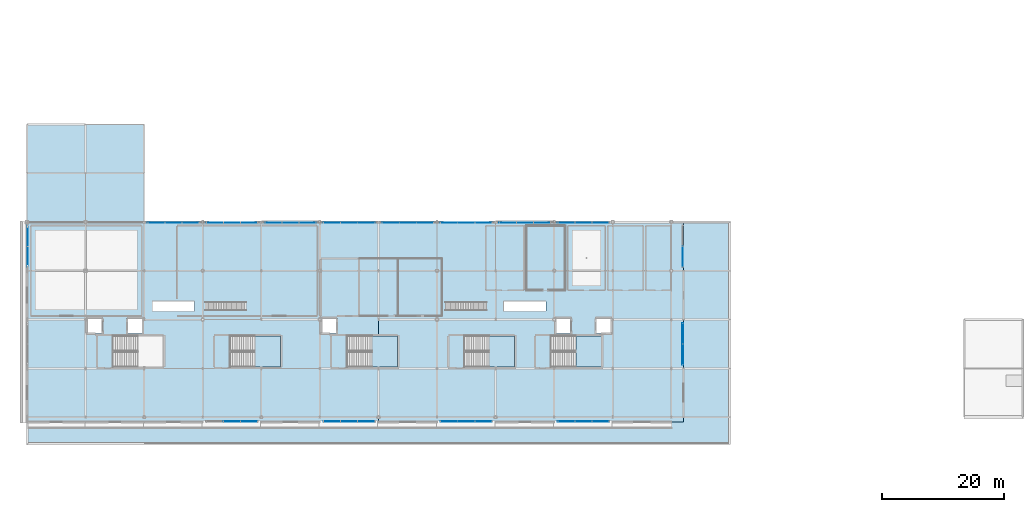
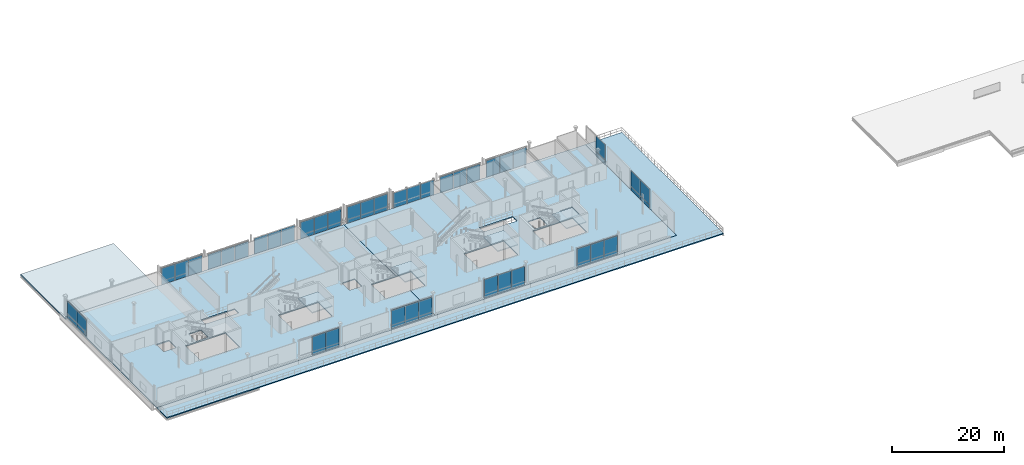
# One storey, part 21 of 36: 43 plates, 8 slabs, 19 elements without a shape of their own.
"""IFC4 building model written with IfcOpenShell, lengths in metres."""

from ifc_helpers import new_model, si_unit, direction, frame, origin, origin_2d, place, context, subcontext, project, spatial, polyline, rectangle, outline, extrude, material, layer, layer_set, type_object, element, aggregate, save


model = new_model("IFC4")

# Units and contexts
model_context = context("Model", 3, precision=1e-05, world=origin(), true_north=direction((0.0, 1.0)))
body_context = subcontext(model_context, "Body", "Model", "MODEL_VIEW")
ifc_project = project(units=[si_unit("LENGTHUNIT", "METRE"), si_unit("AREAUNIT", "SQUARE_METRE"), si_unit("VOLUMEUNIT", "CUBIC_METRE"), si_unit("PLANEANGLEUNIT", "RADIAN"), si_unit("MASSUNIT", "GRAM", prefix="KILO")], contexts=[model_context])

# Site, building, storey
site_placement = place(None, origin())
site = spatial("IfcSite", under=ifc_project, at=site_placement, CompositionType="ELEMENT")
building_placement = place(site_placement, origin())
building = spatial("IfcBuilding", under=site, at=building_placement, Name="Danafjord Basin Convention Centre", CompositionType="ELEMENT")
storey_placement = place(building_placement, frame((0.0, 0.0, 20.39990234375)))
storey = spatial("IfcBuildingStorey", under=building, at=storey_placement, Name="L04", CompositionType="ELEMENT", Elevation=20.39990234375)

# Curtain wall, plates
ifc_material_1 = material(Name="Anodised aluminium and triple glazing", Category="aluminium")
curtain_wall_type = type_object("IfcCurtainWallType", Name="CW-CW-TERR", PredefinedType="NOTDEFINED", material=ifc_material_1)
curtain_wall_1_placement = place(storey_placement, origin())
curtain_wall_1 = element("IfcCurtainWall", 1, at=curtain_wall_1_placement, inside=storey, type_object=curtain_wall_type, Name="L04 CW-TERR unitised curtain wall bay 34", PredefinedType="NOTDEFINED")
ifc_material_2 = material(Name="Triple low-E insulated glazing", Category="glass")
ifc_layer_1 = layer(ifc_material_2, 0.0380859375)
ifc_layer_set_1 = layer_set([ifc_layer_1], Name="Triple low-E insulated glazing")
plate_type_1 = type_object("IfcPlateType", Name="PLT-GP-38", PredefinedType="CURTAIN_PANEL", material=ifc_layer_set_1)
plate_1_placement = place(storey_placement, frame((50.0, 7.320068359375, 0.088134765625), z_axis=(0.0, 0.0, 1.0), x_axis=(1.0, 0.0, 0.0)))
plate_1 = element("IfcPlate", 2, at=plate_1_placement, type_object=plate_type_1, Name="CW-L04-034 vision glazing unit 1", PredefinedType="CURTAIN_PANEL", context=body_context, shape_type="SweptSolid", body=[
    extrude(rectangle(XDim=2.743896484375, YDim=0.0380859375, at=origin_2d()), origin(), (0.0, 0.0, 1.0), 4.083984375),
])
plate_2_placement = place(storey_placement, frame((52.800048828125, 7.320068359375, 0.088134765625), z_axis=(0.0, 0.0, 1.0), x_axis=(1.0, 0.0, 0.0)))
plate_2 = element("IfcPlate", 3, at=plate_2_placement, type_object=plate_type_1, Name="CW-L04-034 vision glazing unit 2", PredefinedType="CURTAIN_PANEL", context=body_context, shape_type="SweptSolid", body=[
    extrude(rectangle(XDim=2.743896484375, YDim=0.0380859375, at=origin_2d()), origin(), (0.0, 0.0, 1.0), 4.083984375),
])
plate_3_placement = place(storey_placement, frame((55.60009765625, 7.320068359375, 0.088134765625), z_axis=(0.0, 0.0, 1.0), x_axis=(1.0, 0.0, 0.0)))
plate_3 = element("IfcPlate", 4, at=plate_3_placement, type_object=plate_type_1, Name="CW-L04-034 vision glazing unit 3", PredefinedType="CURTAIN_PANEL", context=body_context, shape_type="SweptSolid", body=[
    extrude(rectangle(XDim=2.743896484375, YDim=0.0380859375, at=origin_2d()), origin(), (0.0, 0.0, 1.0), 4.083984375),
])
aggregate(curtain_wall_1, [plate_1, plate_2, plate_3])

curtain_wall_2_placement = place(storey_placement, origin())
curtain_wall_2 = element("IfcCurtainWall", 5, at=curtain_wall_2_placement, inside=storey, type_object=curtain_wall_type, Name="L04 CW-TERR unitised curtain wall bay 36", PredefinedType="NOTDEFINED")
plate_4_placement = place(storey_placement, frame((88.39990234375, 7.320068359375, 0.088134765625), z_axis=(0.0, 0.0, 1.0), x_axis=(1.0, 0.0, 0.0)))
plate_4 = element("IfcPlate", 6, at=plate_4_placement, type_object=plate_type_1, Name="CW-L04-036 vision glazing unit 1", PredefinedType="CURTAIN_PANEL", context=body_context, shape_type="SweptSolid", body=[
    extrude(rectangle(XDim=2.743896484375, YDim=0.0380859375, at=origin_2d()), origin(), (0.0, 0.0, 1.0), 4.083984375),
])
plate_5_placement = place(storey_placement, frame((91.199951171875, 7.320068359375, 0.088134765625), z_axis=(0.0, 0.0, 1.0), x_axis=(1.0, 0.0, 0.0)))
plate_5 = element("IfcPlate", 7, at=plate_5_placement, type_object=plate_type_1, Name="CW-L04-036 vision glazing unit 2", PredefinedType="CURTAIN_PANEL", context=body_context, shape_type="SweptSolid", body=[
    extrude(rectangle(XDim=2.743896484375, YDim=0.0380859375, at=origin_2d()), origin(), (0.0, 0.0, 1.0), 4.083984375),
])
plate_6_placement = place(storey_placement, frame((94.0, 7.320068359375, 0.088134765625), z_axis=(0.0, 0.0, 1.0), x_axis=(1.0, 0.0, 0.0)))
plate_6 = element("IfcPlate", 8, at=plate_6_placement, type_object=plate_type_1, Name="CW-L04-036 vision glazing unit 3", PredefinedType="CURTAIN_PANEL", context=body_context, shape_type="SweptSolid", body=[
    extrude(rectangle(XDim=2.743896484375, YDim=0.0380859375, at=origin_2d()), origin(), (0.0, 0.0, 1.0), 4.083984375),
])
aggregate(curtain_wall_2, [plate_4, plate_5, plate_6])

curtain_wall_3_placement = place(storey_placement, origin())
curtain_wall_3 = element("IfcCurtainWall", 9, at=curtain_wall_3_placement, inside=storey, type_object=curtain_wall_type, Name="L04 CW-TERR unitised curtain wall bay 88", PredefinedType="NOTDEFINED")
plate_7_placement = place(storey_placement, frame((36.39990234375, 39.8798828125, 0.088134765625), z_axis=(0.0, 0.0, 1.0), x_axis=(-1.0, 0.0, 0.0)))
plate_7 = element("IfcPlate", 10, at=plate_7_placement, type_object=plate_type_1, Name="CW-L04-088 vision glazing unit 1", PredefinedType="CURTAIN_PANEL", context=body_context, shape_type="SweptSolid", body=[
    extrude(rectangle(XDim=2.743896484375, YDim=0.0380859375, at=origin_2d()), origin(), (0.0, 0.0, 1.0), 3.25390625),
])
plate_8_placement = place(storey_placement, frame((33.60009765625, 39.8798828125, 0.088134765625), z_axis=(0.0, 0.0, 1.0), x_axis=(-1.0, 0.0, 0.0)))
plate_8 = element("IfcPlate", 11, at=plate_8_placement, type_object=plate_type_1, Name="CW-L04-088 vision glazing unit 2", PredefinedType="CURTAIN_PANEL", context=body_context, shape_type="SweptSolid", body=[
    extrude(rectangle(XDim=2.743896484375, YDim=0.0380859375, at=origin_2d()), origin(), (0.0, 0.0, 1.0), 3.25390625),
])
plate_9_placement = place(storey_placement, frame((30.800048828125, 39.8798828125, 0.088134765625), z_axis=(0.0, 0.0, 1.0), x_axis=(-1.0, 0.0, 0.0)))
plate_9 = element("IfcPlate", 12, at=plate_9_placement, type_object=plate_type_1, Name="CW-L04-088 vision glazing unit 3", PredefinedType="CURTAIN_PANEL", context=body_context, shape_type="SweptSolid", body=[
    extrude(rectangle(XDim=2.743896484375, YDim=0.0380859375, at=origin_2d()), origin(), (0.0, 0.0, 1.0), 3.25390625),
])
aggregate(curtain_wall_3, [plate_7, plate_8, plate_9])

curtain_wall_4_placement = place(storey_placement, origin())
curtain_wall_4 = element("IfcCurtainWall", 13, at=curtain_wall_4_placement, inside=storey, type_object=curtain_wall_type, Name="L04 CW-TERR unitised curtain wall bay 90", PredefinedType="NOTDEFINED")
plate_10_placement = place(storey_placement, frame((55.60009765625, 39.8798828125, 0.087890625), z_axis=(0.0, 0.0, 1.0), x_axis=(-1.0, 0.0, 0.0)))
plate_10 = element("IfcPlate", 14, at=plate_10_placement, type_object=plate_type_1, Name="CW-L04-090 vision glazing unit 1", PredefinedType="CURTAIN_PANEL", context=body_context, shape_type="SweptSolid", body=[
    extrude(rectangle(XDim=2.743896484375, YDim=0.0380859375, at=origin_2d()), origin(), (0.0, 0.0, 1.0), 3.654052734375),
])
plate_11_placement = place(storey_placement, frame((52.800048828125, 39.8798828125, 0.087890625), z_axis=(0.0, 0.0, 1.0), x_axis=(-1.0, 0.0, 0.0)))
plate_11 = element("IfcPlate", 15, at=plate_11_placement, type_object=plate_type_1, Name="CW-L04-090 vision glazing unit 2", PredefinedType="CURTAIN_PANEL", context=body_context, shape_type="SweptSolid", body=[
    extrude(rectangle(XDim=2.743896484375, YDim=0.0380859375, at=origin_2d()), origin(), (0.0, 0.0, 1.0), 3.654052734375),
])
plate_12_placement = place(storey_placement, frame((50.0, 39.8798828125, 0.087890625), z_axis=(0.0, 0.0, 1.0), x_axis=(-1.0, 0.0, 0.0)))
plate_12 = element("IfcPlate", 16, at=plate_12_placement, type_object=plate_type_1, Name="CW-L04-090 vision glazing unit 3", PredefinedType="CURTAIN_PANEL", context=body_context, shape_type="SweptSolid", body=[
    extrude(rectangle(XDim=2.743896484375, YDim=0.0380859375, at=origin_2d()), origin(), (0.0, 0.0, 1.0), 3.654052734375),
])
aggregate(curtain_wall_4, [plate_10, plate_11, plate_12])

curtain_wall_5_placement = place(storey_placement, origin())
curtain_wall_5 = element("IfcCurtainWall", 17, at=curtain_wall_5_placement, inside=storey, type_object=curtain_wall_type, Name="L04 CW-TERR unitised curtain wall bay 92", PredefinedType="NOTDEFINED")
plate_13_placement = place(storey_placement, frame((74.800048828125, 39.8798828125, 0.088134765625), z_axis=(0.0, 0.0, 1.0), x_axis=(-1.0, 0.0, 0.0)))
plate_13 = element("IfcPlate", 18, at=plate_13_placement, type_object=plate_type_1, Name="CW-L04-092 vision glazing unit 1", PredefinedType="CURTAIN_PANEL", context=body_context, shape_type="SweptSolid", body=[
    extrude(rectangle(XDim=2.743896484375, YDim=0.0380859375, at=origin_2d()), origin(), (0.0, 0.0, 1.0), 3.25390625),
])
plate_14_placement = place(storey_placement, frame((72.0, 39.8798828125, 0.088134765625), z_axis=(0.0, 0.0, 1.0), x_axis=(-1.0, 0.0, 0.0)))
plate_14 = element("IfcPlate", 19, at=plate_14_placement, type_object=plate_type_1, Name="CW-L04-092 vision glazing unit 2", PredefinedType="CURTAIN_PANEL", context=body_context, shape_type="SweptSolid", body=[
    extrude(rectangle(XDim=2.743896484375, YDim=0.0380859375, at=origin_2d()), origin(), (0.0, 0.0, 1.0), 3.25390625),
])
plate_15_placement = place(storey_placement, frame((69.199951171875, 39.8798828125, 0.088134765625), z_axis=(0.0, 0.0, 1.0), x_axis=(-1.0, 0.0, 0.0)))
plate_15 = element("IfcPlate", 20, at=plate_15_placement, type_object=plate_type_1, Name="CW-L04-092 vision glazing unit 3", PredefinedType="CURTAIN_PANEL", context=body_context, shape_type="SweptSolid", body=[
    extrude(rectangle(XDim=2.743896484375, YDim=0.0380859375, at=origin_2d()), origin(), (0.0, 0.0, 1.0), 3.25390625),
])
aggregate(curtain_wall_5, [plate_13, plate_14, plate_15])

curtain_wall_6_placement = place(storey_placement, origin())
curtain_wall_6 = element("IfcCurtainWall", 21, at=curtain_wall_6_placement, inside=storey, type_object=curtain_wall_type, Name="L04 CW-TERR unitised curtain wall bay 94", PredefinedType="NOTDEFINED")
plate_16_placement = place(storey_placement, frame((94.0, 39.8798828125, 0.087890625), z_axis=(0.0, 0.0, 1.0), x_axis=(-1.0, 0.0, 0.0)))
plate_16 = element("IfcPlate", 22, at=plate_16_placement, type_object=plate_type_1, Name="CW-L04-094 vision glazing unit 1", PredefinedType="CURTAIN_PANEL", context=body_context, shape_type="SweptSolid", body=[
    extrude(rectangle(XDim=2.743896484375, YDim=0.0380859375, at=origin_2d()), origin(), (0.0, 0.0, 1.0), 3.654052734375),
])
plate_17_placement = place(storey_placement, frame((91.199951171875, 39.8798828125, 0.087890625), z_axis=(0.0, 0.0, 1.0), x_axis=(-1.0, 0.0, 0.0)))
plate_17 = element("IfcPlate", 23, at=plate_17_placement, type_object=plate_type_1, Name="CW-L04-094 vision glazing unit 2", PredefinedType="CURTAIN_PANEL", context=body_context, shape_type="SweptSolid", body=[
    extrude(rectangle(XDim=2.743896484375, YDim=0.0380859375, at=origin_2d()), origin(), (0.0, 0.0, 1.0), 3.654052734375),
])
plate_18_placement = place(storey_placement, frame((88.39990234375, 39.8798828125, 0.087890625), z_axis=(0.0, 0.0, 1.0), x_axis=(-1.0, 0.0, 0.0)))
plate_18 = element("IfcPlate", 24, at=plate_18_placement, type_object=plate_type_1, Name="CW-L04-094 vision glazing unit 3", PredefinedType="CURTAIN_PANEL", context=body_context, shape_type="SweptSolid", body=[
    extrude(rectangle(XDim=2.743896484375, YDim=0.0380859375, at=origin_2d()), origin(), (0.0, 0.0, 1.0), 3.654052734375),
])
aggregate(curtain_wall_6, [plate_16, plate_17, plate_18])

curtain_wall_7_placement = place(storey_placement, origin())
curtain_wall_7 = element("IfcCurtainWall", 25, at=curtain_wall_7_placement, inside=storey, type_object=curtain_wall_type, Name="L04 CW-TERR unitised curtain wall bay 96", PredefinedType="NOTDEFINED")
plate_19_placement = place(storey_placement, frame((0.1201171875, 37.699951171875, 0.088134765625), z_axis=(0.0, 0.0, 1.0), x_axis=(0.0, -1.0, 0.0)))
plate_19 = element("IfcPlate", 26, at=plate_19_placement, type_object=plate_type_1, Name="CW-L04-096 vision glazing unit 1", PredefinedType="CURTAIN_PANEL", context=body_context, shape_type="SweptSolid", body=[
    extrude(rectangle(XDim=3.343994140625, YDim=0.0380859375, at=origin_2d()), origin(), (0.0, 0.0, 1.0), 3.6640625),
])
plate_20_placement = place(storey_placement, frame((0.1201171875, 34.300048828125, 0.088134765625), z_axis=(0.0, 0.0, 1.0), x_axis=(0.0, -1.0, 0.0)))
plate_20 = element("IfcPlate", 27, at=plate_20_placement, type_object=plate_type_1, Name="CW-L04-096 vision glazing unit 2", PredefinedType="CURTAIN_PANEL", context=body_context, shape_type="SweptSolid", body=[
    extrude(rectangle(XDim=3.343994140625, YDim=0.0380859375, at=origin_2d()), origin(), (0.0, 0.0, 1.0), 3.6640625),
])
aggregate(curtain_wall_7, [plate_19, plate_20])

# Curtain wall, plate
curtain_wall_8_placement = place(storey_placement, origin())
curtain_wall_8 = element("IfcCurtainWall", 28, at=curtain_wall_8_placement, inside=storey, type_object=curtain_wall_type, Name="L04 CW-TERR unitised curtain wall bay 98", PredefinedType="NOTDEFINED")
plate_21_placement = place(storey_placement, frame((107.47998046875, 34.300048828125, 0.97802734375), z_axis=(0.0, 0.0, 1.0), x_axis=(0.0, 1.0, 0.0)))
plate_21 = element("IfcPlate", 29, at=plate_21_placement, type_object=plate_type_1, Name="CW-L04-098 vision glazing unit 1", PredefinedType="CURTAIN_PANEL", context=body_context, shape_type="SweptSolid", body=[
    extrude(rectangle(XDim=3.343994140625, YDim=0.0380859375, at=origin_2d()), origin(), (0.0, 0.0, 1.0), 3.43408203125),
])

# Curtain wall, plates
curtain_wall_9_placement = place(storey_placement, origin())
curtain_wall_9 = element("IfcCurtainWall", 30, at=curtain_wall_9_placement, inside=storey, type_object=curtain_wall_type, Name="L04 CW-TERR unitised curtain wall bay 33", PredefinedType="NOTDEFINED")
ifc_layer_2 = layer(ifc_material_2, 0.048095703125)
ifc_layer_set_2 = layer_set([ifc_layer_2], Name="Triple low-E insulated glazing")
plate_type_2 = type_object("IfcPlateType", Name="PLT-GP-48", PredefinedType="CURTAIN_PANEL", material=ifc_layer_set_2)
plate_22_placement = place(storey_placement, frame((33.60009765625, 7.320068359375, 0.088134765625), z_axis=(0.0, 0.0, 1.0), x_axis=(1.0, 0.0, 0.0)))
plate_22 = element("IfcPlate", 31, at=plate_22_placement, type_object=plate_type_2, Name="CW-L04-033 vision glazing unit 2", PredefinedType="CURTAIN_PANEL", context=body_context, shape_type="SweptSolid", body=[
    extrude(rectangle(XDim=2.743896484375, YDim=0.048095703125, at=origin_2d()), origin(), (0.0, 0.0, 1.0), 4.083984375),
])
plate_23_placement = place(storey_placement, frame((36.39990234375, 7.320068359375, 0.088134765625), z_axis=(0.0, 0.0, 1.0), x_axis=(1.0, 0.0, 0.0)))
plate_23 = element("IfcPlate", 32, at=plate_23_placement, type_object=plate_type_2, Name="CW-L04-033 vision glazing unit 3", PredefinedType="CURTAIN_PANEL", context=body_context, shape_type="SweptSolid", body=[
    extrude(rectangle(XDim=2.743896484375, YDim=0.048095703125, at=origin_2d()), origin(), (0.0, 0.0, 1.0), 4.083984375),
])
aggregate(curtain_wall_9, [plate_22, plate_23])

curtain_wall_10_placement = place(storey_placement, origin())
curtain_wall_10 = element("IfcCurtainWall", 33, at=curtain_wall_10_placement, inside=storey, type_object=curtain_wall_type, Name="L04 CW-TERR unitised curtain wall bay 35", PredefinedType="NOTDEFINED")
plate_24_placement = place(storey_placement, frame((69.199951171875, 7.320068359375, 0.088134765625), z_axis=(0.0, 0.0, 1.0), x_axis=(1.0, 0.0, 0.0)))
plate_24 = element("IfcPlate", 34, at=plate_24_placement, type_object=plate_type_2, Name="CW-L04-035 vision glazing unit 1", PredefinedType="CURTAIN_PANEL", context=body_context, shape_type="SweptSolid", body=[
    extrude(rectangle(XDim=2.743896484375, YDim=0.048095703125, at=origin_2d()), origin(), (0.0, 0.0, 1.0), 4.083984375),
])
plate_25_placement = place(storey_placement, frame((72.0, 7.320068359375, 0.088134765625), z_axis=(0.0, 0.0, 1.0), x_axis=(1.0, 0.0, 0.0)))
plate_25 = element("IfcPlate", 35, at=plate_25_placement, type_object=plate_type_2, Name="CW-L04-035 vision glazing unit 2", PredefinedType="CURTAIN_PANEL", context=body_context, shape_type="SweptSolid", body=[
    extrude(rectangle(XDim=2.743896484375, YDim=0.048095703125, at=origin_2d()), origin(), (0.0, 0.0, 1.0), 4.083984375),
])
plate_26_placement = place(storey_placement, frame((74.800048828125, 7.320068359375, 0.088134765625), z_axis=(0.0, 0.0, 1.0), x_axis=(1.0, 0.0, 0.0)))
plate_26 = element("IfcPlate", 36, at=plate_26_placement, type_object=plate_type_2, Name="CW-L04-035 vision glazing unit 3", PredefinedType="CURTAIN_PANEL", context=body_context, shape_type="SweptSolid", body=[
    extrude(rectangle(XDim=2.743896484375, YDim=0.048095703125, at=origin_2d()), origin(), (0.0, 0.0, 1.0), 4.083984375),
])
aggregate(curtain_wall_10, [plate_24, plate_25, plate_26])

curtain_wall_11_placement = place(storey_placement, origin())
curtain_wall_11 = element("IfcCurtainWall", 37, at=curtain_wall_11_placement, inside=storey, type_object=curtain_wall_type, Name="L04 CW-TERR unitised curtain wall bay 87", PredefinedType="NOTDEFINED")
plate_27_placement = place(storey_placement, frame((26.800048828125, 39.8798828125, 0.088134765625), z_axis=(0.0, 0.0, 1.0), x_axis=(-1.0, 0.0, 0.0)))
plate_27 = element("IfcPlate", 38, at=plate_27_placement, type_object=plate_type_2, Name="CW-L04-087 vision glazing unit 1", PredefinedType="CURTAIN_PANEL", context=body_context, shape_type="SweptSolid", body=[
    extrude(rectangle(XDim=2.743896484375, YDim=0.048095703125, at=origin_2d()), origin(), (0.0, 0.0, 1.0), 3.60400390625),
])
plate_28_placement = place(storey_placement, frame((24.0, 39.8798828125, 0.088134765625), z_axis=(0.0, 0.0, 1.0), x_axis=(-1.0, 0.0, 0.0)))
plate_28 = element("IfcPlate", 39, at=plate_28_placement, type_object=plate_type_2, Name="CW-L04-087 vision glazing unit 2", PredefinedType="CURTAIN_PANEL", context=body_context, shape_type="SweptSolid", body=[
    extrude(rectangle(XDim=2.743896484375, YDim=0.048095703125, at=origin_2d()), origin(), (0.0, 0.0, 1.0), 3.60400390625),
])
plate_29_placement = place(storey_placement, frame((21.199951171875, 39.8798828125, 0.088134765625), z_axis=(0.0, 0.0, 1.0), x_axis=(-1.0, 0.0, 0.0)))
plate_29 = element("IfcPlate", 40, at=plate_29_placement, type_object=plate_type_2, Name="CW-L04-087 vision glazing unit 3", PredefinedType="CURTAIN_PANEL", context=body_context, shape_type="SweptSolid", body=[
    extrude(rectangle(XDim=2.743896484375, YDim=0.048095703125, at=origin_2d()), origin(), (0.0, 0.0, 1.0), 3.60400390625),
])
aggregate(curtain_wall_11, [plate_27, plate_28, plate_29])

curtain_wall_12_placement = place(storey_placement, origin())
curtain_wall_12 = element("IfcCurtainWall", 41, at=curtain_wall_12_placement, inside=storey, type_object=curtain_wall_type, Name="L04 CW-TERR unitised curtain wall bay 89", PredefinedType="NOTDEFINED")
plate_30_placement = place(storey_placement, frame((46.0, 39.8798828125, 0.087890625), z_axis=(0.0, 0.0, 1.0), x_axis=(-1.0, 0.0, 0.0)))
plate_30 = element("IfcPlate", 42, at=plate_30_placement, type_object=plate_type_2, Name="CW-L04-089 vision glazing unit 1", PredefinedType="CURTAIN_PANEL", context=body_context, shape_type="SweptSolid", body=[
    extrude(rectangle(XDim=2.743896484375, YDim=0.048095703125, at=origin_2d()), origin(), (0.0, 0.0, 1.0), 3.404052734375),
])
plate_31_placement = place(storey_placement, frame((43.199951171875, 39.8798828125, 0.087890625), z_axis=(0.0, 0.0, 1.0), x_axis=(-1.0, 0.0, 0.0)))
plate_31 = element("IfcPlate", 43, at=plate_31_placement, type_object=plate_type_2, Name="CW-L04-089 vision glazing unit 2", PredefinedType="CURTAIN_PANEL", context=body_context, shape_type="SweptSolid", body=[
    extrude(rectangle(XDim=2.743896484375, YDim=0.048095703125, at=origin_2d()), origin(), (0.0, 0.0, 1.0), 3.404052734375),
])
plate_32_placement = place(storey_placement, frame((40.39990234375, 39.8798828125, 0.087890625), z_axis=(0.0, 0.0, 1.0), x_axis=(-1.0, 0.0, 0.0)))
plate_32 = element("IfcPlate", 44, at=plate_32_placement, type_object=plate_type_2, Name="CW-L04-089 vision glazing unit 3", PredefinedType="CURTAIN_PANEL", context=body_context, shape_type="SweptSolid", body=[
    extrude(rectangle(XDim=2.743896484375, YDim=0.048095703125, at=origin_2d()), origin(), (0.0, 0.0, 1.0), 3.404052734375),
])
aggregate(curtain_wall_12, [plate_30, plate_31, plate_32])

curtain_wall_13_placement = place(storey_placement, origin())
curtain_wall_13 = element("IfcCurtainWall", 45, at=curtain_wall_13_placement, inside=storey, type_object=curtain_wall_type, Name="L04 CW-TERR unitised curtain wall bay 91", PredefinedType="NOTDEFINED")
plate_33_placement = place(storey_placement, frame((65.199951171875, 39.8798828125, 0.088134765625), z_axis=(0.0, 0.0, 1.0), x_axis=(-1.0, 0.0, 0.0)))
plate_33 = element("IfcPlate", 46, at=plate_33_placement, type_object=plate_type_2, Name="CW-L04-091 vision glazing unit 1", PredefinedType="CURTAIN_PANEL", context=body_context, shape_type="SweptSolid", body=[
    extrude(rectangle(XDim=2.743896484375, YDim=0.048095703125, at=origin_2d()), origin(), (0.0, 0.0, 1.0), 3.60400390625),
])
plate_34_placement = place(storey_placement, frame((62.39990234375, 39.8798828125, 0.088134765625), z_axis=(0.0, 0.0, 1.0), x_axis=(-1.0, 0.0, 0.0)))
plate_34 = element("IfcPlate", 47, at=plate_34_placement, type_object=plate_type_2, Name="CW-L04-091 vision glazing unit 2", PredefinedType="CURTAIN_PANEL", context=body_context, shape_type="SweptSolid", body=[
    extrude(rectangle(XDim=2.743896484375, YDim=0.048095703125, at=origin_2d()), origin(), (0.0, 0.0, 1.0), 3.60400390625),
])
plate_35_placement = place(storey_placement, frame((59.60009765625, 39.8798828125, 0.088134765625), z_axis=(0.0, 0.0, 1.0), x_axis=(-1.0, 0.0, 0.0)))
plate_35 = element("IfcPlate", 48, at=plate_35_placement, type_object=plate_type_2, Name="CW-L04-091 vision glazing unit 3", PredefinedType="CURTAIN_PANEL", context=body_context, shape_type="SweptSolid", body=[
    extrude(rectangle(XDim=2.743896484375, YDim=0.048095703125, at=origin_2d()), origin(), (0.0, 0.0, 1.0), 3.60400390625),
])
aggregate(curtain_wall_13, [plate_33, plate_34, plate_35])

curtain_wall_14_placement = place(storey_placement, origin())
curtain_wall_14 = element("IfcCurtainWall", 49, at=curtain_wall_14_placement, inside=storey, type_object=curtain_wall_type, Name="L04 CW-TERR unitised curtain wall bay 93", PredefinedType="NOTDEFINED")
plate_36_placement = place(storey_placement, frame((84.39990234375, 39.8798828125, 0.087890625), z_axis=(0.0, 0.0, 1.0), x_axis=(-1.0, 0.0, 0.0)))
plate_36 = element("IfcPlate", 50, at=plate_36_placement, type_object=plate_type_2, Name="CW-L04-093 vision glazing unit 1", PredefinedType="CURTAIN_PANEL", context=body_context, shape_type="SweptSolid", body=[
    extrude(rectangle(XDim=2.743896484375, YDim=0.048095703125, at=origin_2d()), origin(), (0.0, 0.0, 1.0), 3.404052734375),
])
plate_37_placement = place(storey_placement, frame((81.60009765625, 39.8798828125, 0.087890625), z_axis=(0.0, 0.0, 1.0), x_axis=(-1.0, 0.0, 0.0)))
plate_37 = element("IfcPlate", 51, at=plate_37_placement, type_object=plate_type_2, Name="CW-L04-093 vision glazing unit 2", PredefinedType="CURTAIN_PANEL", context=body_context, shape_type="SweptSolid", body=[
    extrude(rectangle(XDim=2.743896484375, YDim=0.048095703125, at=origin_2d()), origin(), (0.0, 0.0, 1.0), 3.404052734375),
])
plate_38_placement = place(storey_placement, frame((78.800048828125, 39.8798828125, 0.087890625), z_axis=(0.0, 0.0, 1.0), x_axis=(-1.0, 0.0, 0.0)))
plate_38 = element("IfcPlate", 52, at=plate_38_placement, type_object=plate_type_2, Name="CW-L04-093 vision glazing unit 3", PredefinedType="CURTAIN_PANEL", context=body_context, shape_type="SweptSolid", body=[
    extrude(rectangle(XDim=2.743896484375, YDim=0.048095703125, at=origin_2d()), origin(), (0.0, 0.0, 1.0), 3.404052734375),
])
aggregate(curtain_wall_14, [plate_36, plate_37, plate_38])

curtain_wall_15_placement = place(storey_placement, origin())
curtain_wall_15 = element("IfcCurtainWall", 53, at=curtain_wall_15_placement, inside=storey, type_object=curtain_wall_type, Name="L04 CW-TERR unitised curtain wall bay 97", PredefinedType="NOTDEFINED")
plate_39_placement = place(storey_placement, frame((107.47998046875, 18.300048828125, 0.97802734375), z_axis=(0.0, 0.0, 1.0), x_axis=(0.0, 1.0, 0.0)))
plate_39 = element("IfcPlate", 54, at=plate_39_placement, type_object=plate_type_2, Name="CW-L04-097 vision glazing unit 1", PredefinedType="CURTAIN_PANEL", context=body_context, shape_type="SweptSolid", body=[
    extrude(rectangle(XDim=3.343994140625, YDim=0.048095703125, at=origin_2d()), origin(), (0.0, 0.0, 1.0), 3.43408203125),
])
plate_40_placement = place(storey_placement, frame((107.47998046875, 21.699951171875, 0.97802734375), z_axis=(0.0, 0.0, 1.0), x_axis=(0.0, 1.0, 0.0)))
plate_40 = element("IfcPlate", 55, at=plate_40_placement, type_object=plate_type_2, Name="CW-L04-097 vision glazing unit 2", PredefinedType="CURTAIN_PANEL", context=body_context, shape_type="SweptSolid", body=[
    extrude(rectangle(XDim=3.343994140625, YDim=0.048095703125, at=origin_2d()), origin(), (0.0, 0.0, 1.0), 3.43408203125),
])

# Plate
ifc_material_3 = material(Name="Insulated aluminium spandrel cassette", Category="aluminium")
ifc_layer_3 = layer(ifc_material_3, 0.070068359375)
ifc_layer_set_3 = layer_set([ifc_layer_3], Name="Insulated aluminium spandrel cassette")
plate_type_3 = type_object("IfcPlateType", Name="PLT-SPN-70", PredefinedType="CURTAIN_PANEL", material=ifc_layer_set_3)
plate_41_placement = place(storey_placement, frame((107.47998046875, 34.300048828125, 0.088134765625), z_axis=(0.0, 0.0, 1.0), x_axis=(0.0, 1.0, 0.0)))
plate_41 = element("IfcPlate", 56, at=plate_41_placement, type_object=plate_type_3, Name="CW-L04-098 spandrel cassette 1", PredefinedType="CURTAIN_PANEL", context=body_context, shape_type="SweptSolid", body=[
    extrude(rectangle(XDim=3.343994140625, YDim=0.070068359375, at=origin_2d()), origin(), (0.0, 0.0, 1.0), 0.833984375),
])

aggregate(curtain_wall_8, [plate_41, plate_21])

ifc_layer_4 = layer(ifc_material_3, 0.090087890625)
ifc_layer_set_4 = layer_set([ifc_layer_4], Name="Insulated aluminium spandrel cassette")
plate_type_4 = type_object("IfcPlateType", Name="PLT-SPN-90", PredefinedType="CURTAIN_PANEL", material=ifc_layer_set_4)
plate_42_placement = place(storey_placement, frame((107.47998046875, 18.300048828125, 0.088134765625), z_axis=(0.0, 0.0, 1.0), x_axis=(0.0, 1.0, 0.0)))
plate_42 = element("IfcPlate", 57, at=plate_42_placement, type_object=plate_type_4, Name="CW-L04-097 spandrel cassette 1", PredefinedType="CURTAIN_PANEL", context=body_context, shape_type="SweptSolid", body=[
    extrude(rectangle(XDim=3.343994140625, YDim=0.090087890625, at=origin_2d()), origin(), (0.0, 0.0, 1.0), 0.833984375),
])

plate_43_placement = place(storey_placement, frame((107.47998046875, 21.699951171875, 0.088134765625), z_axis=(0.0, 0.0, 1.0), x_axis=(0.0, 1.0, 0.0)))
plate_43 = element("IfcPlate", 58, at=plate_43_placement, type_object=plate_type_4, Name="CW-L04-097 spandrel cassette 2", PredefinedType="CURTAIN_PANEL", context=body_context, shape_type="SweptSolid", body=[
    extrude(rectangle(XDim=3.343994140625, YDim=0.090087890625, at=origin_2d()), origin(), (0.0, 0.0, 1.0), 0.833984375),
])

aggregate(curtain_wall_15, [plate_42, plate_39, plate_43, plate_40])

# Slabs
ifc_material_4 = material(Name="Concrete C35/45", Category="concrete")
ifc_layer_5 = layer(ifc_material_4, 0.22412109375)
ifc_layer_set_5 = layer_set([ifc_layer_5], Name="Concrete C35/45")
slab_type_1 = type_object("IfcSlabType", Name="SLAB-FS-210", PredefinedType="FLOOR", material=ifc_layer_set_5)
slab_1_placement = place(storey_placement, frame((0.0, 0.0, -0.223876953125)))
element("IfcSlab", 59, at=slab_1_placement, inside=storey, type_object=slab_type_1, Name="L04 FS-210 slab SL-L04-V4W", PredefinedType="FLOOR", context=body_context, shape_type="SweptSolid", body=[
    extrude(outline(polyline([(57.60009765625, 40.0), (57.60009765625, 21.35009765625), (52.530029296875, 21.35009765625), (52.530029296875, 16.2099609375), (57.60009765625, 16.2099609375), (57.60009765625, 7.199951171875), (0.0, 7.199951171875), (0.0, 40.0), (57.60009765625, 40.0)]), holes=[polyline([(48.199951171875, 24.300048828125), (48.199951171875, 21.699951171875), (50.800048828125, 21.699951171875), (50.800048828125, 24.300048828125), (48.199951171875, 24.300048828125)]), polyline([(33.330078125, 21.35009765625), (33.330078125, 16.2099609375), (41.530029296875, 16.2099609375), (41.530029296875, 21.35009765625), (33.330078125, 21.35009765625)]), polyline([(20.60009765625, 26.949951171875), (20.60009765625, 25.449951171875), (27.47509765625, 25.449951171875), (27.47509765625, 26.949951171875), (20.60009765625, 26.949951171875)]), polyline([(22.330078125, 16.2099609375), (22.330078125, 21.35009765625), (14.1298828125, 21.35009765625), (14.1298828125, 16.2099609375), (22.330078125, 16.2099609375)]), polyline([(19.0, 21.699951171875), (19.0, 24.300048828125), (16.39990234375, 24.300048828125), (16.39990234375, 21.699951171875), (19.0, 21.699951171875)]), polyline([(9.800048828125, 24.300048828125), (9.800048828125, 21.699951171875), (12.39990234375, 21.699951171875), (12.39990234375, 24.300048828125), (9.800048828125, 24.300048828125)])]), origin(), (0.0, 0.0, 1.0), 0.223876953125),
])
slab_2_placement = place(storey_placement, frame((0.0, 0.0, -0.223876953125)))
element("IfcSlab", 60, at=slab_2_placement, inside=storey, type_object=slab_type_1, Name="L04 FS-210 slab SL-L04-V4E", PredefinedType="FLOOR", context=body_context, shape_type="SweptSolid", body=[
    extrude(outline(polyline([(60.72998046875, 16.2099609375), (60.72998046875, 21.35009765625), (57.60009765625, 21.35009765625), (57.60009765625, 40.0), (107.60009765625, 40.0), (107.60009765625, 7.199951171875), (57.60009765625, 7.199951171875), (57.60009765625, 16.2099609375), (60.72998046875, 16.2099609375)]), holes=[polyline([(93.199951171875, 24.300048828125), (93.199951171875, 21.699951171875), (95.800048828125, 21.699951171875), (95.800048828125, 24.300048828125), (93.199951171875, 24.300048828125)]), polyline([(85.929931640625, 16.2099609375), (94.1298828125, 16.2099609375), (94.1298828125, 21.35009765625), (85.929931640625, 21.35009765625), (85.929931640625, 16.2099609375)]), polyline([(89.199951171875, 21.699951171875), (89.199951171875, 24.300048828125), (86.60009765625, 24.300048828125), (86.60009765625, 21.699951171875), (89.199951171875, 21.699951171875)]), polyline([(78.199951171875, 26.949951171875), (78.199951171875, 25.449951171875), (85.074951171875, 25.449951171875), (85.074951171875, 26.949951171875), (78.199951171875, 26.949951171875)]), polyline([(71.72998046875, 16.2099609375), (79.929931640625, 16.2099609375), (79.929931640625, 21.35009765625), (71.72998046875, 21.35009765625), (71.72998046875, 16.2099609375)])]), origin(), (0.0, 0.0, 1.0), 0.223876953125),
])

# Stair, slab
ifc_material_5 = material(Name="Concrete C40/50", Category="concrete")
stair_type = type_object("IfcStairType", Name="STAIR-STR-C01", PredefinedType="TWO_STRAIGHT_RUN_STAIR", material=ifc_material_5)
stair_1_placement = place(storey_placement, origin())
stair_1 = element("IfcStair", 61, at=stair_1_placement, inside=storey, type_object=stair_type, Name="L04 Central Harbour Core Stair 1", PredefinedType="HALF_TURN_STAIR")
ifc_layer_6 = layer(ifc_material_5, 0.199951171875)
ifc_layer_set_6 = layer_set([ifc_layer_6], Name="Concrete C40/50")
slab_type_2 = type_object("IfcSlabType", Name="SLAB-LAND-200", PredefinedType="LANDING", material=ifc_layer_set_6)
slab_3_placement = place(storey_placement, frame((0.0, 0.0, 2.050048828125)))
slab_3 = element("IfcSlab", 62, at=slab_3_placement, type_object=slab_type_2, Name="ST-03 landing 1", PredefinedType="LANDING", context=body_context, shape_type="SweptSolid", body=[
    extrude(outline(polyline([(89.945068359375, 16.2099609375), (94.1298828125, 16.2099609375), (94.1298828125, 21.35009765625), (89.945068359375, 21.35009765625), (89.945068359375, 16.2099609375)])), origin(), (0.0, 0.0, 1.0), 0.199951171875),
])
aggregate(stair_1, [slab_3])

stair_2_placement = place(storey_placement, origin())
stair_2 = element("IfcStair", 63, at=stair_2_placement, inside=storey, type_object=stair_type, Name="L04 Mid-Arc Meeting Core Stair 1", PredefinedType="HALF_TURN_STAIR")
slab_4_placement = place(storey_placement, frame((0.0, 0.0, 2.050048828125)))
slab_4 = element("IfcSlab", 64, at=slab_4_placement, type_object=slab_type_2, Name="ST-05 landing 1", PredefinedType="LANDING", context=body_context, shape_type="SweptSolid", body=[
    extrude(outline(polyline([(56.544921875, 16.2099609375), (60.72998046875, 16.2099609375), (60.72998046875, 21.35009765625), (56.544921875, 21.35009765625), (56.544921875, 16.2099609375)])), origin(), (0.0, 0.0, 1.0), 0.199951171875),
])
aggregate(stair_2, [slab_4])

stair_3_placement = place(storey_placement, origin())
stair_3 = element("IfcStair", 65, at=stair_3_placement, inside=storey, type_object=stair_type, Name="L04 West Harbour Escape Stair 2", PredefinedType="HALF_TURN_STAIR")
slab_5_placement = place(storey_placement, frame((0.0, 0.0, 2.050048828125)))
slab_5 = element("IfcSlab", 66, at=slab_5_placement, type_object=slab_type_2, Name="ST-02 landing 1", PredefinedType="LANDING", context=body_context, shape_type="SweptSolid", body=[
    extrude(outline(polyline([(37.344970703125, 16.2099609375), (41.530029296875, 16.2099609375), (41.530029296875, 21.35009765625), (37.344970703125, 21.35009765625), (37.344970703125, 16.2099609375)])), origin(), (0.0, 0.0, 1.0), 0.199951171875),
])
aggregate(stair_3, [slab_5])

stair_4_placement = place(storey_placement, origin())
stair_4 = element("IfcStair", 67, at=stair_4_placement, inside=storey, type_object=stair_type, Name="L04 Mid-Arc Escape Stair 2", PredefinedType="HALF_TURN_STAIR")
slab_6_placement = place(storey_placement, frame((0.0, 0.0, 2.050048828125)))
slab_6 = element("IfcSlab", 68, at=slab_6_placement, type_object=slab_type_2, Name="ST-06 landing 1", PredefinedType="LANDING", context=body_context, shape_type="SweptSolid", body=[
    extrude(outline(polyline([(75.7451171875, 16.2099609375), (79.929931640625, 16.2099609375), (79.929931640625, 21.35009765625), (75.7451171875, 21.35009765625), (75.7451171875, 16.2099609375)])), origin(), (0.0, 0.0, 1.0), 0.199951171875),
])
aggregate(stair_4, [slab_6])

# Slabs
ifc_layer_7 = layer(ifc_material_4, 0.2451171875)
ifc_layer_set_7 = layer_set([ifc_layer_7], Name="Concrete C35/45")
slab_type_3 = type_object("IfcSlabType", Name="SLAB-RF-240", PredefinedType="ROOF", material=ifc_layer_set_7)
slab_7_placement = place(storey_placement, frame((0.0, 0.0, -0.664794921875)))
element("IfcSlab", 69, at=slab_7_placement, inside=storey, type_object=slab_type_3, Name="L04 gravel maintenance flat roof slab RF-FLAT-C4", PredefinedType="ROOF", context=body_context, shape_type="SweptSolid", body=[
    extrude(outline(polyline([(0.0, 40.0), (0.0, 56.0), (19.199951171875, 56.0), (19.199951171875, 40.0), (0.0, 40.0)])), origin(), (0.0, 0.0, 1.0), 0.244873046875),
])
ifc_material_6 = material(Name="Precast concrete C40/50", Category="concrete")
ifc_layer_8 = layer(ifc_material_6, 0.22607421875)
ifc_layer_set_8 = layer_set([ifc_layer_8], Name="Precast concrete C40/50")
slab_type_4 = type_object("IfcSlabType", Name="SLAB-TR-180", PredefinedType="FLOOR", material=ifc_layer_set_8)
slab_8_placement = place(storey_placement, frame((0.0, 0.0, -0.225830078125)))
element("IfcSlab", 70, at=slab_8_placement, inside=storey, type_object=slab_type_4, Name="L04 TR-180 slab SL-L04-TER-SE", PredefinedType="FLOOR", context=body_context, shape_type="SweptSolid", body=[
    extrude(outline(polyline([(0.0, 3.60009765625), (0.0, 7.199951171875), (107.60009765625, 7.199951171875), (107.60009765625, 40.0), (115.199951171875, 40.0), (115.199951171875, 3.60009765625), (0.0, 3.60009765625)])), origin(), (0.0, 0.0, 1.0), 0.225830078125),
])

save(model, "model.ifc")
